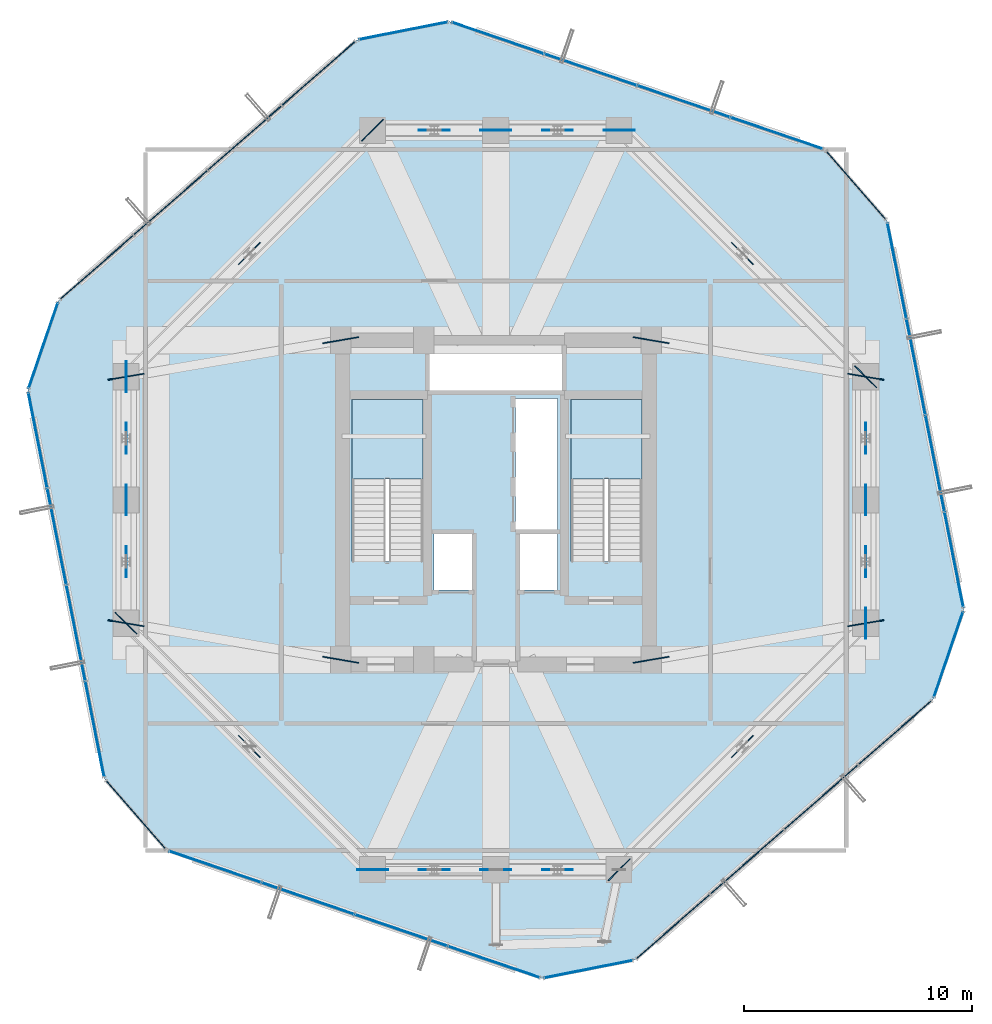
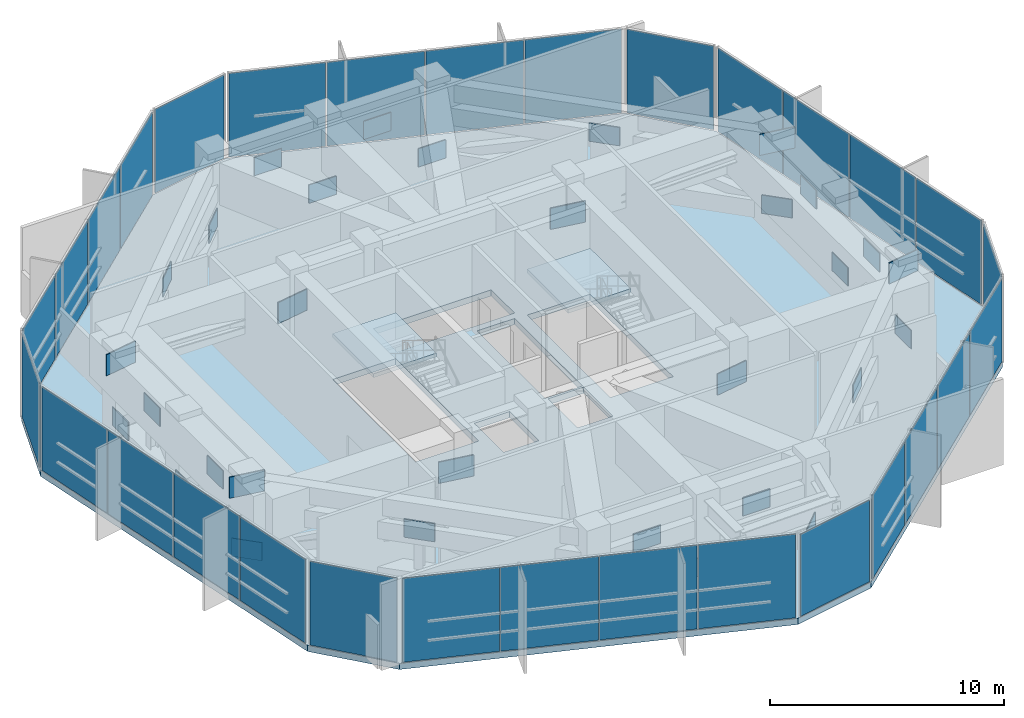
# One storey, part 31 of 36: 62 plates, 3 slabs, 14 elements without a shape of their own.
"""IFC4 building model written with IfcOpenShell, lengths in metres."""

import ifcopenshell
import ifcopenshell.guid

model = None  # the IFC model being written
_history = None  # IfcOwnerHistory: only IFC2X3 demands one
_inside = {}  # id of a spatial element -> (the spatial element, [elements in it])
_under = {}  # id of a project, library or spatial element -> (it, [spatial elements below it])
_declared = {}  # id of a project -> (the project, [libraries it declares])
_typed = {}  # id of a type object -> (the type object, [elements of that type])
_made_of = {}  # id of a material, layer set ... -> (it, [elements and type objects made of it])


def new_model(schema):
    """Start an empty IFC model of exactly this schema.

    Asked for "IFC4X3", IfcOpenShell would pick the latest addendum, in which some entities
    have other attributes; the version numbers below select the first issue.
    IFC2X3 requires an IfcOwnerHistory on every rooted entity: one is made here for all.
    """
    global model, _history
    if schema == "IFC4X3":
        model = ifcopenshell.file(schema_version=(4, 3, 0, 0))
    else:
        model = ifcopenshell.file(schema=schema)
    _inside.clear()
    _under.clear()
    _declared.clear()
    _typed.clear()
    _made_of.clear()
    _history = None
    if model.schema == "IFC2X3":
        org = make("IfcOrganization", Name="unknown")
        user = make(
            "IfcPersonAndOrganization",
            ThePerson=make("IfcPerson", FamilyName="unknown"),
            TheOrganization=org,
        )
        app = make(
            "IfcApplication",
            ApplicationDeveloper=org,
            Version="unknown",
            ApplicationFullName="unknown",
            ApplicationIdentifier="unknown",
        )
        _history = make(
            "IfcOwnerHistory",
            OwningUser=user,
            OwningApplication=app,
            ChangeAction="ADDED",
            CreationDate=0,
        )
    return model


def make(cls, **values):
    """One entity of the class cls with the attributes given. An attribute that is None is left unset."""
    return model.create_entity(
        cls, **{name: value for name, value in values.items() if value is not None}
    )


def rooted(cls, **values):
    """An entity with a GlobalId (a new one), such as an element, a storey or a relation."""
    return make(cls, GlobalId=ifcopenshell.guid.new(), OwnerHistory=_history, **values)


def si_unit(unit_type, name, prefix=None):
    """IfcSIUnit, for example si_unit("LENGTHUNIT", "METRE", prefix="MILLI")."""
    return make("IfcSIUnit", UnitType=unit_type, Prefix=prefix, Name=name)


def assignment(units):
    """IfcUnitAssignment: the units of a project."""
    return None if units is None else make("IfcUnitAssignment", Units=units)


def point(xyz):
    """IfcCartesianPoint."""
    return None if xyz is None else make("IfcCartesianPoint", Coordinates=xyz)


def direction(xyz):
    """IfcDirection."""
    return None if xyz is None else make("IfcDirection", DirectionRatios=xyz)


def frame(location, z_axis=None, x_axis=None):
    """IfcAxis2Placement3D, a coordinate frame: its origin and axes. An axis left out is left unset."""
    return make(
        "IfcAxis2Placement3D",
        Location=point(location),
        Axis=direction(z_axis),
        RefDirection=direction(x_axis),
    )


def frame_2d(location, x_axis=None):
    """IfcAxis2Placement2D, a coordinate frame in the plane: its origin and x axis."""
    return make(
        "IfcAxis2Placement2D", Location=point(location), RefDirection=direction(x_axis)
    )


def origin():
    """The frame at (0, 0, 0) with its axes left unset."""
    return frame((0.0, 0.0, 0.0))


def origin_2d():
    """The frame at (0, 0) in the plane with its x axis left unset."""
    return frame_2d((0.0, 0.0))


def place(relative_to, where):
    """IfcLocalPlacement: puts the frame where relative to a parent placement (None: the world)."""
    return make(
        "IfcLocalPlacement", PlacementRelTo=relative_to, RelativePlacement=where
    )


def context(
    kind, dimensions, precision=None, world=None, true_north=None, identifier=None
):
    """IfcGeometricRepresentationContext, for example the 3D "Model" context."""
    return make(
        "IfcGeometricRepresentationContext",
        ContextIdentifier=identifier,
        ContextType=kind,
        CoordinateSpaceDimension=dimensions,
        Precision=precision,
        WorldCoordinateSystem=world,
        TrueNorth=true_north,
    )


def subcontext(parent, identifier, kind, view, scale=None):
    """IfcGeometricRepresentationSubContext, for example "Body" below "Model"."""
    return make(
        "IfcGeometricRepresentationSubContext",
        ContextIdentifier=identifier,
        ContextType=kind,
        ParentContext=parent,
        TargetScale=scale,
        TargetView=view,
    )


def project(units=None, contexts=None):
    """IfcProject with its units and contexts."""
    return rooted(
        "IfcProject",
        Name="project",
        RepresentationContexts=contexts,
        UnitsInContext=assignment(units),
    )


def spatial(cls, under=None, at=None, **own):
    """A site, building, storey or space (cls), placed at a placement, below another one or the project."""
    s = rooted(cls, ObjectPlacement=at, **own)
    if under is not None:
        _under.setdefault(under.id(), (under, []))[1].append(s)
    return s


def polyline(points):
    """IfcPolyline through the points."""
    return make("IfcPolyline", Points=[point(p) for p in points])


def profile(cls, at=None, kind="AREA", **sizes):
    """A parametric profile (cls). Its sizes go by their IFC names, for example OverallWidth=200.0."""
    return make(cls, ProfileType=kind, Position=at, **sizes)


def rectangle(**sizes):
    """IfcRectangleProfileDef."""
    return profile("IfcRectangleProfileDef", **sizes)


def outline(outer, holes=None, kind="AREA"):
    """IfcArbitraryClosedProfileDef: a profile drawn as a closed curve; with holes, ...WithVoids."""
    if holes is None:
        return make("IfcArbitraryClosedProfileDef", ProfileType=kind, OuterCurve=outer)
    return make(
        "IfcArbitraryProfileDefWithVoids",
        ProfileType=kind,
        OuterCurve=outer,
        InnerCurves=holes,
    )


def extrude(swept, where, along, depth):
    """IfcExtrudedAreaSolid: the profile swept, set in the frame where, extruded along a direction by depth."""
    return make(
        "IfcExtrudedAreaSolid",
        SweptArea=swept,
        Position=where,
        ExtrudedDirection=direction(along),
        Depth=depth,
    )


def shape(context_of_items, identifier, shape_type, items):
    """IfcShapeRepresentation: the items that make up one representation, for example the "Body"."""
    return make(
        "IfcShapeRepresentation",
        ContextOfItems=context_of_items,
        RepresentationIdentifier=identifier,
        RepresentationType=shape_type,
        Items=items,
    )


def source(mapping_origin, context_of_items, identifier, shape_type, items):
    """IfcRepresentationMap: a shape defined once, which mapped items show again and again."""
    return make(
        "IfcRepresentationMap",
        MappingOrigin=mapping_origin,
        MappedRepresentation=shape(context_of_items, identifier, shape_type, items),
    )


def transform(
    local_origin,
    x_axis=None,
    y_axis=None,
    z_axis=None,
    scale=None,
    scale2=None,
    scale3=None,
    uniform=True,
):
    """IfcCartesianTransformationOperator3D, or its non-uniform kind. x_axis, y_axis, z_axis: its Axis1, 2, 3."""
    if uniform:
        return make(
            "IfcCartesianTransformationOperator3D",
            Axis1=direction(x_axis),
            Axis2=direction(y_axis),
            LocalOrigin=point(local_origin),
            Scale=scale,
            Axis3=direction(z_axis),
        )
    return make(
        "IfcCartesianTransformationOperator3DnonUniform",
        Axis1=direction(x_axis),
        Axis2=direction(y_axis),
        LocalOrigin=point(local_origin),
        Scale=scale,
        Axis3=direction(z_axis),
        Scale2=scale2,
        Scale3=scale3,
    )


def mapped(mapping_source, mapping_target):
    """IfcMappedItem: shows the shape of a source again, moved by a transform."""
    return make(
        "IfcMappedItem", MappingSource=mapping_source, MappingTarget=mapping_target
    )


def material(Name=None, Category=None):
    """IfcMaterial."""
    return make("IfcMaterial", Name=Name, Category=Category)


def layer(
    of_material, thickness, ventilated=None, Name=None, Category=None, Priority=None
):
    """IfcMaterialLayer: one layer of a wall or slab, of a material (None: an air gap)."""
    return make(
        "IfcMaterialLayer",
        Material=of_material,
        LayerThickness=thickness,
        IsVentilated=ventilated,
        Name=Name,
        Category=Category,
        Priority=Priority,
    )


def layer_set(layers, Name=None):
    """IfcMaterialLayerSet."""
    return make("IfcMaterialLayerSet", MaterialLayers=layers, LayerSetName=Name)


def made_of(thing, what):
    """Note that an element or type object is made of a material, layer set ...; save() writes the relation."""
    if what is not None:
        _made_of.setdefault(what.id(), (what, []))[1].append(thing)
    return thing


def type_object(cls, material=None, **own):
    """A type object (cls), such as IfcWallType, which elements share."""
    return made_of(rooted(cls, **own), material)


def element(
    cls,
    number,
    at=None,
    inside=None,
    cuts=None,
    type_object=None,
    material=None,
    context=None,
    identifier="Body",
    shape_type=None,
    held_by="IfcProductDefinitionShape",
    body=None,
    shapes=None,
    **own,
):
    """One element of the class cls, such as IfcWall. Its Tag is "e" and its number.

    at: its placement. inside: the storey or other place that contains it. cuts: it is an
    opening in that element (IfcRelVoidsElement). A single representation is given by context,
    identifier, shape_type and body (its items); several are given by shapes. held_by: the class
    of the entity that holds the representations. save() writes the other relations.
    """
    e = rooted(cls, Tag="e%d" % number, ObjectPlacement=at, **own)
    if body is not None:
        shapes = [shape(context, identifier, shape_type, body)]
    if shapes is not None:
        e.Representation = make(held_by, Representations=shapes)
    if inside is not None:
        _inside.setdefault(inside.id(), (inside, []))[1].append(e)
    if cuts is not None:
        rooted(
            "IfcRelVoidsElement", RelatingBuildingElement=cuts, RelatedOpeningElement=e
        )
    if type_object is not None:
        _typed.setdefault(type_object.id(), (type_object, []))[1].append(e)
    return made_of(e, material)


def aggregate(whole, parts):
    """IfcRelAggregates: a whole, such as a stair, and the parts it consists of."""
    return rooted("IfcRelAggregates", RelatingObject=whole, RelatedObjects=parts)


def save(model, path):
    """Write the relations noted so far, then the file.

    IfcRelAggregates (storeys below a building ...), IfcRelContainedInSpatialStructure (elements
    in a storey), IfcRelDefinesByType, IfcRelAssociatesMaterial and IfcRelDeclares: one each for
    every whole, place, type object, material and project.
    """
    for whole, parts in _under.values():
        aggregate(whole, parts)
    for where, things in _inside.values():
        rooted(
            "IfcRelContainedInSpatialStructure",
            RelatedElements=things,
            RelatingStructure=where,
        )
    for kind, things in _typed.values():
        rooted("IfcRelDefinesByType", RelatedObjects=things, RelatingType=kind)
    for what, things in _made_of.values():
        rooted("IfcRelAssociatesMaterial", RelatedObjects=things, RelatingMaterial=what)
    for by, libraries in _declared.values():
        rooted("IfcRelDeclares", RelatingContext=by, RelatedDefinitions=libraries)
    model.write(path)


model = new_model("IFC4")

# Units and contexts
model_context = context("Model", 3, precision=1e-05, world=origin(), true_north=direction((0.0, 1.0)))
body_context = subcontext(model_context, "Body", "Model", "MODEL_VIEW")
ifc_project = project(units=[si_unit("LENGTHUNIT", "METRE"), si_unit("AREAUNIT", "SQUARE_METRE"), si_unit("VOLUMEUNIT", "CUBIC_METRE"), si_unit("PLANEANGLEUNIT", "RADIAN"), si_unit("MASSUNIT", "GRAM", prefix="KILO")], contexts=[model_context])

# Site, building, storey
site_placement = place(None, origin())
site = spatial("IfcSite", under=ifc_project, at=site_placement, CompositionType="ELEMENT")
building_placement = place(site_placement, origin())
building = spatial("IfcBuilding", under=site, at=building_placement, Name="Veraguas Prism Commons", CompositionType="ELEMENT")
storey_placement = place(building_placement, frame((0.0, 0.0, 169.550048828125)))
storey = spatial("IfcBuildingStorey", under=building, at=storey_placement, Name="L48", CompositionType="ELEMENT", Elevation=169.550048828125)

# Slab
ifc_material_1 = material(Name="Concrete C45/55", Category="concrete")
ifc_layer_1 = layer(ifc_material_1, 0.320068359375, Name="Plant Refuge and Sky Lobby Slab RC 320", Category="concrete")
ifc_layer_set_1 = layer_set([ifc_layer_1], Name="Concrete C45/55")
slab_type_1 = type_object("IfcSlabType", Name="Plant Refuge and Sky Lobby Slab RC 320", PredefinedType="FLOOR", material=ifc_layer_set_1)
slab_1_placement = place(storey_placement, frame((0.0, 0.0, -0.320068359375)))
element("IfcSlab", 1, at=slab_1_placement, inside=storey, type_object=slab_type_1, Name="Tower Floor Slab L48", PredefinedType="FLOOR", context=body_context, shape_type="SweptSolid", body=[
    extrude(outline(polyline([(41.140380859375, 36.225830078125), (38.40673828125, 39.3525390625), (21.982177734375, 44.956787109375), (17.90771484375, 44.153076171875), (4.842041015625, 32.73095703125), (3.500732421875, 28.80029296875), (6.859619140625, 11.774169921875), (9.59326171875, 8.6474609375), (26.017822265625, 3.043212890625), (30.09228515625, 3.846923828125), (43.157958984375, 15.26904296875), (44.499267578125, 19.19970703125), (41.140380859375, 36.225830078125)]), holes=[polyline([(20.800048828125, 21.31005859375), (20.800048828125, 28.39990234375), (17.68994140625, 28.39990234375), (17.68994140625, 21.31005859375), (20.800048828125, 21.31005859375)]), polyline([(30.39990234375, 21.31005859375), (30.39990234375, 28.39990234375), (27.2900390625, 28.39990234375), (27.2900390625, 21.31005859375), (30.39990234375, 21.31005859375)]), polyline([(24.85009765625, 22.64990234375), (26.699951171875, 22.64990234375), (26.699951171875, 28.449951171875), (24.85009765625, 28.449951171875), (24.85009765625, 22.64990234375)]), polyline([(21.10009765625, 28.800048828125), (26.89990234375, 28.800048828125), (26.89990234375, 30.800048828125), (21.10009765625, 30.800048828125), (21.10009765625, 28.800048828125)]), polyline([(21.300048828125, 20.050048828125), (23.050048828125, 20.050048828125), (23.050048828125, 22.550048828125), (21.300048828125, 22.550048828125), (21.300048828125, 20.050048828125)]), polyline([(24.949951171875, 20.050048828125), (26.699951171875, 20.050048828125), (26.699951171875, 22.550048828125), (24.949951171875, 22.550048828125), (24.949951171875, 20.050048828125)])]), origin(), (0.0, 0.0, 1.0), 0.320068359375),
])

# Stair, slab
ifc_material_2 = material(Name="Precast concrete C45/55", Category="concrete")
stair_type = type_object("IfcStairType", Name="Dogleg Core Stair 1480W 28R 01", PredefinedType="HALF_TURN_STAIR", material=ifc_material_2)
stair_1_placement = place(storey_placement, origin())
stair_1 = element("IfcStair", 2, at=stair_1_placement, inside=storey, type_object=stair_type, Name="Protected Exit Stair ST-01 L48", PredefinedType="HALF_TURN_STAIR")
ifc_layer_2 = layer(ifc_material_2, 0.199951171875, Name="Precast Stair and Ramp Landing Slab 200", Category="concrete")
ifc_layer_set_2 = layer_set([ifc_layer_2], Name="Precast concrete C45/55")
slab_type_2 = type_object("IfcSlabType", Name="Precast Stair and Ramp Landing Slab 200", PredefinedType="LANDING", material=ifc_layer_set_2)
slab_2_placement = place(storey_placement, frame((0.0, 0.0, 2.199951171875)))
slab_2 = element("IfcSlab", 3, at=slab_2_placement, type_object=slab_type_2, Name="ST-01 Landing 1", PredefinedType="LANDING", context=body_context, shape_type="SweptSolid", body=[
    extrude(outline(polyline([(20.800048828125, 24.919921875), (20.800048828125, 28.39990234375), (17.68994140625, 28.39990234375), (17.68994140625, 24.919921875), (20.800048828125, 24.919921875)])), origin(), (0.0, 0.0, 1.0), 0.199951171875),
])
aggregate(stair_1, [slab_2])

stair_2_placement = place(storey_placement, origin())
stair_2 = element("IfcStair", 4, at=stair_2_placement, inside=storey, type_object=stair_type, Name="Protected Exit Stair ST-02 L48", PredefinedType="HALF_TURN_STAIR")
slab_3_placement = place(storey_placement, frame((0.0, 0.0, 2.199951171875)))
slab_3 = element("IfcSlab", 5, at=slab_3_placement, type_object=slab_type_2, Name="ST-01 Landing 1", PredefinedType="LANDING", context=body_context, shape_type="SweptSolid", body=[
    extrude(outline(polyline([(30.39990234375, 24.919921875), (30.39990234375, 28.39990234375), (27.2900390625, 28.39990234375), (27.2900390625, 24.919921875), (30.39990234375, 24.919921875)])), origin(), (0.0, 0.0, 1.0), 0.199951171875),
])
aggregate(stair_2, [slab_3])

# Plates
ifc_material_3 = material(Name="Steel ASTM A572 Grade 50", Category="steel")
ifc_layer_3 = layer(ifc_material_3, 0.0400390625, Name="Belt Truss Node Gusset Plate 1350x950x40", Category="steel")
ifc_layer_set_3 = layer_set([ifc_layer_3], Name="Steel ASTM A572 Grade 50")
plate_type_1 = type_object("IfcPlateType", Name="Belt Truss Node Gusset Plate 1350x950x40", PredefinedType="USERDEFINED", material=ifc_layer_set_3)
shared_shape_1 = source(origin(), body_context, "Body", "SweptSolid", [
    extrude(rectangle(XDim=1.35009765625, YDim=0.0400390625, at=origin_2d()), origin(), (0.0, 0.0, 1.0), 0.949951171875),
])
for number, where, z_axis, x_axis, name in (
    (6, (40.199951171875, 21.300048828125, 2.455078125), (0.0, 0.0, 1.0), (0.0, 1.0, 0.0), "Belt Truss Node Gusset KN2-L48-01"),
    (7, (40.199951171875, 18.60009765625, 0.0751953125), (0.0, 0.0, 1.0), (0.0, 1.0, 0.0), "Belt Truss Column Foot Gusset L48-01"),
    (8, (40.199951171875, 26.699951171875, 2.455078125), (0.0, 0.0, 1.0), (0.0, 1.0, 0.0), "Belt Truss Node Gusset KN2-L48-02"),
    (9, (40.199951171875, 24.0, 0.0751953125), (0.0, 0.0, 1.0), (0.0, 1.0, 0.0), "Belt Truss Column Foot Gusset L48-02"),
    (10, (34.800048828125, 34.800048828125, 2.455078125), (0.0, 0.0, 1.0), (-0.707106781187, 0.707106781187, 0.0), "Belt Truss Node Gusset KN2-L48-03"),
    (11, (40.199951171875, 29.39990234375, 0.0751953125), (0.0, 0.0, 1.0), (-0.707106781187, 0.707106781187, 0.0), "Belt Truss Column Foot Gusset L48-03"),
    (12, (26.699951171875, 40.199951171875, 2.455078125), (0.0, 0.0, 1.0), (-1.0, 0.0, 0.0), "Belt Truss Node Gusset KN2-L48-04"),
    (13, (29.39990234375, 40.199951171875, 0.0751953125), (0.0, 0.0, 1.0), (-1.0, 0.0, 0.0), "Belt Truss Column Foot Gusset L48-04"),
    (14, (21.300048828125, 40.199951171875, 2.455078125), (0.0, 0.0, 1.0), (-1.0, 0.0, 0.0), "Belt Truss Node Gusset KN2-L48-05"),
    (15, (24.0, 40.199951171875, 0.0751953125), (0.0, 0.0, 1.0), (-1.0, 0.0, 0.0), "Belt Truss Column Foot Gusset L48-05"),
    (16, (13.199951171875, 34.800048828125, 2.455078125), (0.0, 0.0, 1.0), (-0.707106781187, -0.707106781187, 0.0), "Belt Truss Node Gusset KN2-L48-06"),
    (17, (18.60009765625, 40.199951171875, 0.0751953125), (0.0, 0.0, 1.0), (-0.707106781187, -0.707106781187, 0.0), "Belt Truss Column Foot Gusset L48-06"),
    (18, (7.800048828125, 26.699951171875, 2.455078125), (0.0, 0.0, 1.0), (0.0, -1.0, 0.0), "Belt Truss Node Gusset KN2-L48-07"),
    (19, (7.800048828125, 29.39990234375, 0.0751953125), (0.0, 0.0, 1.0), (0.0, -1.0, 0.0), "Belt Truss Column Foot Gusset L48-07"),
    (20, (7.800048828125, 21.300048828125, 2.455078125), (0.0, 0.0, 1.0), (0.0, -1.0, 0.0), "Belt Truss Node Gusset KN2-L48-08"),
    (21, (7.800048828125, 24.0, 0.0751953125), (0.0, 0.0, 1.0), (0.0, -1.0, 0.0), "Belt Truss Column Foot Gusset L48-08"),
    (22, (13.199951171875, 13.199951171875, 2.455078125), (0.0, 0.0, 1.0), (0.707106781187, -0.707106781187, 0.0), "Belt Truss Node Gusset KN2-L48-09"),
    (23, (7.800048828125, 18.60009765625, 0.0751953125), (0.0, 0.0, 1.0), (0.707106781187, -0.707106781187, 0.0), "Belt Truss Column Foot Gusset L48-09"),
    (24, (21.300048828125, 7.800048828125, 2.455078125), (0.0, 0.0, 1.0), (1.0, 0.0, 0.0), "Belt Truss Node Gusset KN2-L48-10"),
    (25, (18.60009765625, 7.800048828125, 0.0751953125), (0.0, 0.0, 1.0), (1.0, 0.0, 0.0), "Belt Truss Column Foot Gusset L48-10"),
    (26, (26.699951171875, 7.800048828125, 2.455078125), (0.0, 0.0, 1.0), (1.0, 0.0, 0.0), "Belt Truss Node Gusset KN2-L48-11"),
    (27, (24.0, 7.800048828125, 0.0751953125), (0.0, 0.0, 1.0), (1.0, 0.0, 0.0), "Belt Truss Column Foot Gusset L48-11"),
    (28, (34.800048828125, 13.199951171875, 2.455078125), (0.0, 0.0, 1.0), (0.707106781187, 0.707106781187, 0.0), "Belt Truss Node Gusset KN2-L48-12"),
    (29, (29.39990234375, 7.800048828125, 0.0751953125), (0.0, 0.0, 1.0), (0.707106781187, 0.707106781187, 0.0), "Belt Truss Column Foot Gusset L48-12"),
):
    element("IfcPlate", number, at=place(storey_placement, frame(where, z_axis=z_axis, x_axis=x_axis)), inside=storey, type_object=plate_type_1, Name=name, ObjectType="GUSSET PLATE", PredefinedType="USERDEFINED", context=body_context, shape_type="MappedRepresentation", body=[
        mapped(shared_shape_1, transform((0.0, 0.0, 0.0), scale=1.0)),
    ])
ifc_layer_4 = layer(ifc_material_3, 0.044921875, Name="Outrigger Truss Gusset Plate 1600x1100x45", Category="steel")
ifc_layer_set_4 = layer_set([ifc_layer_4], Name="Steel ASTM A572 Grade 50")
plate_type_2 = type_object("IfcPlateType", Name="Outrigger Truss Gusset Plate 1600x1100x45", PredefinedType="USERDEFINED", material=ifc_layer_set_4)
shared_shape_2 = source(origin(), body_context, "Body", "SweptSolid", [
    extrude(rectangle(XDim=1.60009765625, YDim=0.044921875, at=origin_2d()), origin(), (0.0, 0.0, 1.0), 1.10009765625),
])
for number, where, z_axis, x_axis, name in (
    (30, (30.800048828125, 17.0, 1.869873046875), (0.0, 0.0, 1.0), (0.985821149513, 0.167799467139, 0.0), "Outrigger Core Node Gusset KN1-L48-01"),
    (31, (40.199951171875, 18.60009765625, 3.409912109375), (0.0, 0.0, 1.0), (0.985821149513, 0.167799467139, 0.0), "Outrigger Perimeter Node Gusset L48-01"),
    (32, (30.800048828125, 31.0, 1.869873046875), (0.0, 0.0, 1.0), (0.985821149513, -0.167799467139, 0.0), "Outrigger Core Node Gusset KN1-L48-02"),
    (33, (40.199951171875, 29.39990234375, 3.409912109375), (0.0, 0.0, 1.0), (0.985821149513, -0.167799467139, 0.0), "Outrigger Perimeter Node Gusset L48-02"),
    (34, (17.199951171875, 31.0, 1.869873046875), (0.0, 0.0, 1.0), (-0.985821149513, -0.167799467139, 0.0), "Outrigger Core Node Gusset KN1-L48-03"),
    (35, (7.800048828125, 29.39990234375, 3.409912109375), (0.0, 0.0, 1.0), (-0.985821149513, -0.167799467139, 0.0), "Outrigger Perimeter Node Gusset L48-03"),
    (36, (17.199951171875, 17.0, 1.869873046875), (0.0, 0.0, 1.0), (-0.985821149513, 0.167799467139, 0.0), "Outrigger Core Node Gusset KN1-L48-04"),
    (37, (7.800048828125, 18.60009765625, 3.409912109375), (0.0, 0.0, 1.0), (-0.985821149513, 0.167799467139, 0.0), "Outrigger Perimeter Node Gusset L48-04"),
):
    element("IfcPlate", number, at=place(storey_placement, frame(where, z_axis=z_axis, x_axis=x_axis)), inside=storey, type_object=plate_type_2, Name=name, ObjectType="GUSSET PLATE", PredefinedType="USERDEFINED", context=body_context, shape_type="MappedRepresentation", body=[
        mapped(shared_shape_2, transform((0.0, 0.0, 0.0), scale=1.0)),
    ])

# Curtain wall, plates
ifc_material_4 = material(Name="Anodised aluminium EN AW-6063 T6", Category="aluminium")
ifc_layer_5 = layer(ifc_material_4, 0.169921875, Name="Unitised Flush Curtain Wall Zone 2", Category="aluminium")
ifc_layer_set_5 = layer_set([ifc_layer_5], Name="Anodised aluminium EN AW-6063 T6")
curtain_wall_type = type_object("IfcCurtainWallType", Name="Unitised Flush Curtain Wall Zone 2", PredefinedType="NOTDEFINED", material=ifc_layer_set_5)
curtain_wall_1_placement = place(storey_placement, origin())
curtain_wall_1 = element("IfcCurtainWall", 38, at=curtain_wall_1_placement, inside=storey, type_object=curtain_wall_type, Name="Tower Facade Curtain Wall L48-F1", PredefinedType="NOTDEFINED")
ifc_material_5 = material(Name="Spandrel frit insulated glass", Category="glass")
ifc_layer_6 = layer(ifc_material_5, 0.0400390625, Name="Insulated Pale-Metal Spandrel Panel 40", Category="glass")
ifc_layer_set_6 = layer_set([ifc_layer_6], Name="Spandrel frit insulated glass")
plate_type_3 = type_object("IfcPlateType", Name="Insulated Pale-Metal Spandrel Panel 40", PredefinedType="SHEET", material=ifc_layer_set_6)
shared_shape_3 = source(origin(), body_context, "Body", "SweptSolid", [
    extrude(rectangle(XDim=4.218505859375, YDim=0.0400390625, at=origin_2d()), origin(), (0.0, 0.0, 1.0), 4.3701171875),
])
plate_1_placement = place(storey_placement, frame((36.296875, 40.072509765625, 0.054931640625), z_axis=(0.0, 0.0, 1.0), x_axis=(-0.946424609155, 0.322924850679, 0.0)))
plate_1 = element("IfcPlate", 39, at=plate_1_placement, type_object=plate_type_3, Name="CW-Z2 Panel 1.1", PredefinedType="SHEET", context=body_context, shape_type="MappedRepresentation", body=[
    mapped(shared_shape_3, transform((0.0, 0.0, 0.0), scale=1.0)),
])
plate_2_placement = place(storey_placement, frame((24.092041015625, 44.23681640625, 0.054931640625), z_axis=(0.0, 0.0, 1.0), x_axis=(-0.946424609155, 0.322924850679, 0.0)))
plate_2 = element("IfcPlate", 40, at=plate_2_placement, type_object=plate_type_3, Name="CW-Z2 Panel 4.1", PredefinedType="SHEET", context=body_context, shape_type="MappedRepresentation", body=[
    mapped(shared_shape_3, transform((0.0, 0.0, 0.0), scale=1.0)),
])

curtain_wall_2_placement = place(storey_placement, origin())
curtain_wall_2 = element("IfcCurtainWall", 41, at=curtain_wall_2_placement, inside=storey, type_object=curtain_wall_type, Name="Tower Facade Curtain Wall L48-F2", PredefinedType="NOTDEFINED")
plate_3_placement = place(storey_placement, frame((16.229248046875, 42.685791015625, 0.054931640625), z_axis=(0.0, 0.0, 1.0), x_axis=(-0.752872280062, -0.658166642967, 0.0)))
plate_3 = element("IfcPlate", 42, at=plate_3_placement, type_object=plate_type_3, Name="CW-Z2 Panel 1.1", PredefinedType="SHEET", context=body_context, shape_type="MappedRepresentation", body=[
    mapped(shared_shape_3, transform((0.0, 0.0, 0.0), scale=1.0)),
])
plate_4_placement = place(storey_placement, frame((6.5205078125, 34.1982421875, 0.054931640625), z_axis=(0.0, 0.0, 1.0), x_axis=(-0.752872280062, -0.658166642967, 0.0)))
plate_4 = element("IfcPlate", 43, at=plate_4_placement, type_object=plate_type_3, Name="CW-Z2 Panel 4.1", PredefinedType="SHEET", context=body_context, shape_type="MappedRepresentation", body=[
    mapped(shared_shape_3, transform((0.0, 0.0, 0.0), scale=1.0)),
])

curtain_wall_3_placement = place(storey_placement, origin())
curtain_wall_3 = element("IfcCurtainWall", 44, at=curtain_wall_3_placement, inside=storey, type_object=curtain_wall_type, Name="Tower Facade Curtain Wall L48-F3", PredefinedType="NOTDEFINED")
plate_5_placement = place(storey_placement, frame((3.932373046875, 26.61328125, 0.054931640625), z_axis=(0.0, 0.0, 1.0), x_axis=(0.193549468051, -0.981090517443, 0.0)))
plate_5 = element("IfcPlate", 45, at=plate_5_placement, type_object=plate_type_3, Name="CW-Z2 Panel 1.1", PredefinedType="SHEET", context=body_context, shape_type="MappedRepresentation", body=[
    mapped(shared_shape_3, transform((0.0, 0.0, 0.0), scale=1.0)),
])
plate_6_placement = place(storey_placement, frame((6.42822265625, 13.961181640625, 0.054931640625), z_axis=(0.0, 0.0, 1.0), x_axis=(0.193549468051, -0.981090517443, 0.0)))
plate_6 = element("IfcPlate", 46, at=plate_6_placement, type_object=plate_type_3, Name="CW-Z2 Panel 4.1", PredefinedType="SHEET", context=body_context, shape_type="MappedRepresentation", body=[
    mapped(shared_shape_3, transform((0.0, 0.0, 0.0), scale=1.0)),
])

curtain_wall_4_placement = place(storey_placement, origin())
curtain_wall_4 = element("IfcCurtainWall", 47, at=curtain_wall_4_placement, inside=storey, type_object=curtain_wall_type, Name="Tower Facade Curtain Wall L48-F4", PredefinedType="NOTDEFINED")
plate_7_placement = place(storey_placement, frame((11.703125, 7.927490234375, 0.054931640625), z_axis=(0.0, 0.0, 1.0), x_axis=(0.946424609155, -0.322924850679, 0.0)))
plate_7 = element("IfcPlate", 48, at=plate_7_placement, type_object=plate_type_3, Name="CW-Z2 Panel 1.1", PredefinedType="SHEET", context=body_context, shape_type="MappedRepresentation", body=[
    mapped(shared_shape_3, transform((0.0, 0.0, 0.0), scale=1.0)),
])
plate_8_placement = place(storey_placement, frame((23.907958984375, 3.76318359375, 0.054931640625), z_axis=(0.0, 0.0, 1.0), x_axis=(0.946424609155, -0.322924850679, 0.0)))
plate_8 = element("IfcPlate", 49, at=plate_8_placement, type_object=plate_type_3, Name="CW-Z2 Panel 4.1", PredefinedType="SHEET", context=body_context, shape_type="MappedRepresentation", body=[
    mapped(shared_shape_3, transform((0.0, 0.0, 0.0), scale=1.0)),
])

curtain_wall_5_placement = place(storey_placement, origin())
curtain_wall_5 = element("IfcCurtainWall", 50, at=curtain_wall_5_placement, inside=storey, type_object=curtain_wall_type, Name="Tower Facade Curtain Wall L48-F5", PredefinedType="NOTDEFINED")
plate_9_placement = place(storey_placement, frame((31.770751953125, 5.314208984375, 0.054931640625), z_axis=(0.0, 0.0, 1.0), x_axis=(0.752872280062, 0.658166642967, 0.0)))
plate_9 = element("IfcPlate", 51, at=plate_9_placement, type_object=plate_type_3, Name="CW-Z2 Panel 1.1", PredefinedType="SHEET", context=body_context, shape_type="MappedRepresentation", body=[
    mapped(shared_shape_3, transform((0.0, 0.0, 0.0), scale=1.0)),
])
plate_10_placement = place(storey_placement, frame((41.4794921875, 13.8017578125, 0.054931640625), z_axis=(0.0, 0.0, 1.0), x_axis=(0.752872280062, 0.658166642967, 0.0)))
plate_10 = element("IfcPlate", 52, at=plate_10_placement, type_object=plate_type_3, Name="CW-Z2 Panel 4.1", PredefinedType="SHEET", context=body_context, shape_type="MappedRepresentation", body=[
    mapped(shared_shape_3, transform((0.0, 0.0, 0.0), scale=1.0)),
])

curtain_wall_6_placement = place(storey_placement, origin())
curtain_wall_6 = element("IfcCurtainWall", 53, at=curtain_wall_6_placement, inside=storey, type_object=curtain_wall_type, Name="Tower Facade Curtain Wall L48-F6", PredefinedType="NOTDEFINED")
plate_11_placement = place(storey_placement, frame((44.067626953125, 21.38671875, 0.054931640625), z_axis=(0.0, 0.0, 1.0), x_axis=(-0.193549468051, 0.981090517443, 0.0)))
plate_11 = element("IfcPlate", 54, at=plate_11_placement, type_object=plate_type_3, Name="CW-Z2 Panel 1.1", PredefinedType="SHEET", context=body_context, shape_type="MappedRepresentation", body=[
    mapped(shared_shape_3, transform((0.0, 0.0, 0.0), scale=1.0)),
])
plate_12_placement = place(storey_placement, frame((41.57177734375, 34.038818359375, 0.054931640625), z_axis=(0.0, 0.0, 1.0), x_axis=(-0.193549468051, 0.981090517443, 0.0)))
plate_12 = element("IfcPlate", 55, at=plate_12_placement, type_object=plate_type_3, Name="CW-Z2 Panel 4.1", PredefinedType="SHEET", context=body_context, shape_type="MappedRepresentation", body=[
    mapped(shared_shape_3, transform((0.0, 0.0, 0.0), scale=1.0)),
])

# Plate
shared_shape_4 = source(origin(), body_context, "Body", "SweptSolid", [
    extrude(rectangle(XDim=4.24853515625, YDim=0.0400390625, at=origin_2d()), origin(), (0.0, 0.0, 1.0), 4.3701171875),
])
plate_13_placement = place(storey_placement, frame((32.2333984375, 41.458984375, 0.054931640625), z_axis=(0.0, 0.0, 1.0), x_axis=(-0.946424609155, 0.322924850679, 0.0)))
plate_13 = element("IfcPlate", 56, at=plate_13_placement, type_object=plate_type_3, Name="CW-Z2 Panel 2.1", PredefinedType="SHEET", context=body_context, shape_type="MappedRepresentation", body=[
    mapped(shared_shape_4, transform((0.0, 0.0, 0.0), scale=1.0)),
])

plate_14_placement = place(storey_placement, frame((28.155517578125, 42.850341796875, 0.054931640625), z_axis=(0.0, 0.0, 1.0), x_axis=(-0.946424609155, 0.322924850679, 0.0)))
plate_14 = element("IfcPlate", 57, at=plate_14_placement, type_object=plate_type_3, Name="CW-Z2 Panel 3.1", PredefinedType="SHEET", context=body_context, shape_type="MappedRepresentation", body=[
    mapped(shared_shape_4, transform((0.0, 0.0, 0.0), scale=1.0)),
])

aggregate(curtain_wall_1, [plate_1, plate_13, plate_14, plate_2])

plate_15_placement = place(storey_placement, frame((12.99658203125, 39.85986328125, 0.054931640625), z_axis=(0.0, 0.0, 1.0), x_axis=(-0.752872280062, -0.658166642967, 0.0)))
plate_15 = element("IfcPlate", 58, at=plate_15_placement, type_object=plate_type_3, Name="CW-Z2 Panel 2.1", PredefinedType="SHEET", context=body_context, shape_type="MappedRepresentation", body=[
    mapped(shared_shape_4, transform((0.0, 0.0, 0.0), scale=1.0)),
])

plate_16_placement = place(storey_placement, frame((9.7529296875, 37.024169921875, 0.054931640625), z_axis=(0.0, 0.0, 1.0), x_axis=(-0.752872280062, -0.658166642967, 0.0)))
plate_16 = element("IfcPlate", 59, at=plate_16_placement, type_object=plate_type_3, Name="CW-Z2 Panel 3.1", PredefinedType="SHEET", context=body_context, shape_type="MappedRepresentation", body=[
    mapped(shared_shape_4, transform((0.0, 0.0, 0.0), scale=1.0)),
])

aggregate(curtain_wall_2, [plate_3, plate_15, plate_16, plate_4])

plate_17_placement = place(storey_placement, frame((4.76318359375, 22.40087890625, 0.054931640625), z_axis=(0.0, 0.0, 1.0), x_axis=(0.193549468051, -0.981090517443, 0.0)))
plate_17 = element("IfcPlate", 60, at=plate_17_placement, type_object=plate_type_3, Name="CW-Z2 Panel 2.1", PredefinedType="SHEET", context=body_context, shape_type="MappedRepresentation", body=[
    mapped(shared_shape_4, transform((0.0, 0.0, 0.0), scale=1.0)),
])

plate_18_placement = place(storey_placement, frame((5.59716796875, 18.173583984375, 0.054931640625), z_axis=(0.0, 0.0, 1.0), x_axis=(0.193549468051, -0.981090517443, 0.0)))
plate_18 = element("IfcPlate", 61, at=plate_18_placement, type_object=plate_type_3, Name="CW-Z2 Panel 3.1", PredefinedType="SHEET", context=body_context, shape_type="MappedRepresentation", body=[
    mapped(shared_shape_4, transform((0.0, 0.0, 0.0), scale=1.0)),
])

aggregate(curtain_wall_3, [plate_5, plate_17, plate_18, plate_6])

plate_19_placement = place(storey_placement, frame((15.7666015625, 6.541015625, 0.054931640625), z_axis=(0.0, 0.0, 1.0), x_axis=(0.946424609155, -0.322924850679, 0.0)))
plate_19 = element("IfcPlate", 62, at=plate_19_placement, type_object=plate_type_3, Name="CW-Z2 Panel 2.1", PredefinedType="SHEET", context=body_context, shape_type="MappedRepresentation", body=[
    mapped(shared_shape_4, transform((0.0, 0.0, 0.0), scale=1.0)),
])

plate_20_placement = place(storey_placement, frame((19.844482421875, 5.149658203125, 0.054931640625), z_axis=(0.0, 0.0, 1.0), x_axis=(0.946424609155, -0.322924850679, 0.0)))
plate_20 = element("IfcPlate", 63, at=plate_20_placement, type_object=plate_type_3, Name="CW-Z2 Panel 3.1", PredefinedType="SHEET", context=body_context, shape_type="MappedRepresentation", body=[
    mapped(shared_shape_4, transform((0.0, 0.0, 0.0), scale=1.0)),
])

aggregate(curtain_wall_4, [plate_7, plate_19, plate_20, plate_8])

plate_21_placement = place(storey_placement, frame((35.00341796875, 8.14013671875, 0.054931640625), z_axis=(0.0, 0.0, 1.0), x_axis=(0.752872280062, 0.658166642967, 0.0)))
plate_21 = element("IfcPlate", 64, at=plate_21_placement, type_object=plate_type_3, Name="CW-Z2 Panel 2.1", PredefinedType="SHEET", context=body_context, shape_type="MappedRepresentation", body=[
    mapped(shared_shape_4, transform((0.0, 0.0, 0.0), scale=1.0)),
])

plate_22_placement = place(storey_placement, frame((38.2470703125, 10.975830078125, 0.054931640625), z_axis=(0.0, 0.0, 1.0), x_axis=(0.752872280062, 0.658166642967, 0.0)))
plate_22 = element("IfcPlate", 65, at=plate_22_placement, type_object=plate_type_3, Name="CW-Z2 Panel 3.1", PredefinedType="SHEET", context=body_context, shape_type="MappedRepresentation", body=[
    mapped(shared_shape_4, transform((0.0, 0.0, 0.0), scale=1.0)),
])

aggregate(curtain_wall_5, [plate_9, plate_21, plate_22, plate_10])

plate_23_placement = place(storey_placement, frame((43.23681640625, 25.59912109375, 0.054931640625), z_axis=(0.0, 0.0, 1.0), x_axis=(-0.193549468051, 0.981090517443, 0.0)))
plate_23 = element("IfcPlate", 66, at=plate_23_placement, type_object=plate_type_3, Name="CW-Z2 Panel 2.1", PredefinedType="SHEET", context=body_context, shape_type="MappedRepresentation", body=[
    mapped(shared_shape_4, transform((0.0, 0.0, 0.0), scale=1.0)),
])

plate_24_placement = place(storey_placement, frame((42.40283203125, 29.826416015625, 0.054931640625), z_axis=(0.0, 0.0, 1.0), x_axis=(-0.193549468051, 0.981090517443, 0.0)))
plate_24 = element("IfcPlate", 67, at=plate_24_placement, type_object=plate_type_3, Name="CW-Z2 Panel 3.1", PredefinedType="SHEET", context=body_context, shape_type="MappedRepresentation", body=[
    mapped(shared_shape_4, transform((0.0, 0.0, 0.0), scale=1.0)),
])

aggregate(curtain_wall_6, [plate_11, plate_23, plate_24, plate_12])

# Curtain wall, plate
curtain_wall_7_placement = place(storey_placement, origin())
curtain_wall_7 = element("IfcCurtainWall", 68, at=curtain_wall_7_placement, inside=storey, type_object=curtain_wall_type, Name="Chamfer Curtain Wall L48-C1", PredefinedType="NOTDEFINED")
shared_shape_5 = source(origin(), body_context, "Body", "SweptSolid", [
    extrude(rectangle(XDim=3.9130859375, YDim=0.0400390625, at=origin_2d()), origin(), (0.0, 0.0, 1.0), 4.3701171875),
])
plate_25_placement = place(storey_placement, frame((39.7734375, 37.789306640625, 0.054931640625), z_axis=(0.0, 0.0, 1.0), x_axis=(-0.658186352891, 0.752855049042, 0.0)))
plate_25 = element("IfcPlate", 69, at=plate_25_placement, type_object=plate_type_3, Name="CW-Z2 Panel 1.1", PredefinedType="SHEET", context=body_context, shape_type="MappedRepresentation", body=[
    mapped(shared_shape_5, transform((0.0, 0.0, 0.0), scale=1.0)),
])
aggregate(curtain_wall_7, [plate_25])

curtain_wall_8_placement = place(storey_placement, origin())
curtain_wall_8 = element("IfcCurtainWall", 70, at=curtain_wall_8_placement, inside=storey, type_object=curtain_wall_type, Name="Chamfer Curtain Wall L48-C2", PredefinedType="NOTDEFINED")
plate_26_placement = place(storey_placement, frame((19.94482421875, 44.554931640625, 0.054931640625), z_axis=(0.0, 0.0, 1.0), x_axis=(-0.981090517443, -0.193549468051, 0.0)))
plate_26 = element("IfcPlate", 71, at=plate_26_placement, type_object=plate_type_3, Name="CW-Z2 Panel 1.1", PredefinedType="SHEET", context=body_context, shape_type="MappedRepresentation", body=[
    mapped(shared_shape_5, transform((0.0, 0.0, 0.0), scale=1.0)),
])
aggregate(curtain_wall_8, [plate_26])

curtain_wall_9_placement = place(storey_placement, origin())
curtain_wall_9 = element("IfcCurtainWall", 72, at=curtain_wall_9_placement, inside=storey, type_object=curtain_wall_type, Name="Chamfer Curtain Wall L48-C3", PredefinedType="NOTDEFINED")
plate_27_placement = place(storey_placement, frame((4.17138671875, 30.765625, 0.054931640625), z_axis=(0.0, 0.0, 1.0), x_axis=(-0.322929806142, -0.946422918311, 0.0)))
plate_27 = element("IfcPlate", 73, at=plate_27_placement, type_object=plate_type_3, Name="CW-Z2 Panel 1.1", PredefinedType="SHEET", context=body_context, shape_type="MappedRepresentation", body=[
    mapped(shared_shape_5, transform((0.0, 0.0, 0.0), scale=1.0)),
])
aggregate(curtain_wall_9, [plate_27])

curtain_wall_10_placement = place(storey_placement, origin())
curtain_wall_10 = element("IfcCurtainWall", 74, at=curtain_wall_10_placement, inside=storey, type_object=curtain_wall_type, Name="Chamfer Curtain Wall L48-C4", PredefinedType="NOTDEFINED")
plate_28_placement = place(storey_placement, frame((8.2265625, 10.210693359375, 0.054931640625), z_axis=(0.0, 0.0, 1.0), x_axis=(0.658186352891, -0.752855049042, 0.0)))
plate_28 = element("IfcPlate", 75, at=plate_28_placement, type_object=plate_type_3, Name="CW-Z2 Panel 1.1", PredefinedType="SHEET", context=body_context, shape_type="MappedRepresentation", body=[
    mapped(shared_shape_5, transform((0.0, 0.0, 0.0), scale=1.0)),
])
aggregate(curtain_wall_10, [plate_28])

curtain_wall_11_placement = place(storey_placement, origin())
curtain_wall_11 = element("IfcCurtainWall", 76, at=curtain_wall_11_placement, inside=storey, type_object=curtain_wall_type, Name="Chamfer Curtain Wall L48-C6", PredefinedType="NOTDEFINED")
plate_29_placement = place(storey_placement, frame((43.82861328125, 17.234375, 0.054931640625), z_axis=(0.0, 0.0, 1.0), x_axis=(0.322929806142, 0.946422918311, 0.0)))
plate_29 = element("IfcPlate", 77, at=plate_29_placement, type_object=plate_type_3, Name="CW-Z2 Panel 1.1", PredefinedType="SHEET", context=body_context, shape_type="MappedRepresentation", body=[
    mapped(shared_shape_5, transform((0.0, 0.0, 0.0), scale=1.0)),
])
aggregate(curtain_wall_11, [plate_29])

curtain_wall_12_placement = place(storey_placement, origin())
curtain_wall_12 = element("IfcCurtainWall", 78, at=curtain_wall_12_placement, inside=storey, type_object=curtain_wall_type, Name="Chamfer Curtain Wall L48-C5", PredefinedType="NOTDEFINED")
shared_shape_6 = source(origin(), body_context, "Body", "SweptSolid", [
    extrude(rectangle(XDim=3.9130859375, YDim=0.0400390625, at=origin_2d()), origin(), (0.0, 0.0, 1.0), 4.27001953125),
])
plate_30_placement = place(storey_placement, frame((28.05517578125, 3.445068359375, 0.054931640625), z_axis=(0.0, 0.0, 1.0), x_axis=(0.981090517443, 0.193549468051, 0.0)))
plate_30 = element("IfcPlate", 79, at=plate_30_placement, type_object=plate_type_3, Name="CW-Z2 Panel 1.1", PredefinedType="SHEET", context=body_context, shape_type="MappedRepresentation", body=[
    mapped(shared_shape_6, transform((0.0, 0.0, 0.0), scale=1.0)),
])
aggregate(curtain_wall_12, [plate_30])

save(model, "model.ifc")
